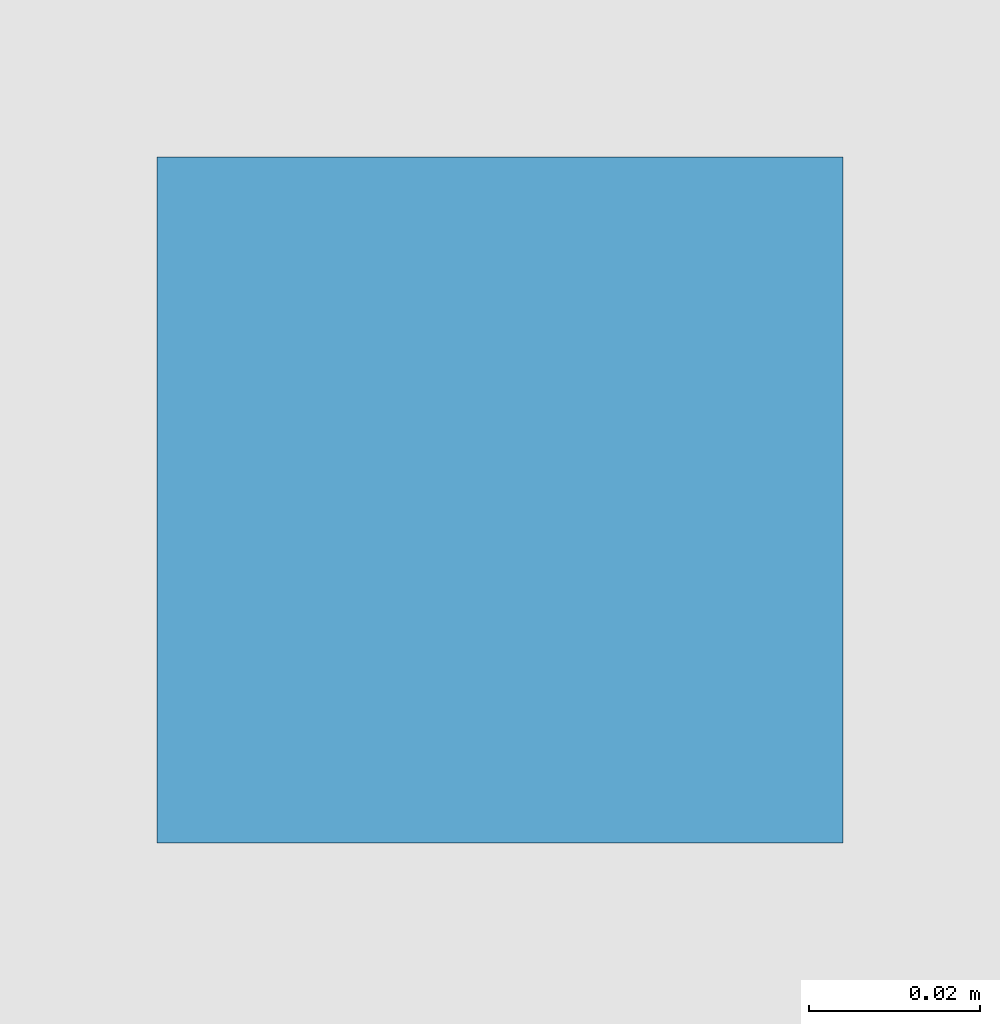
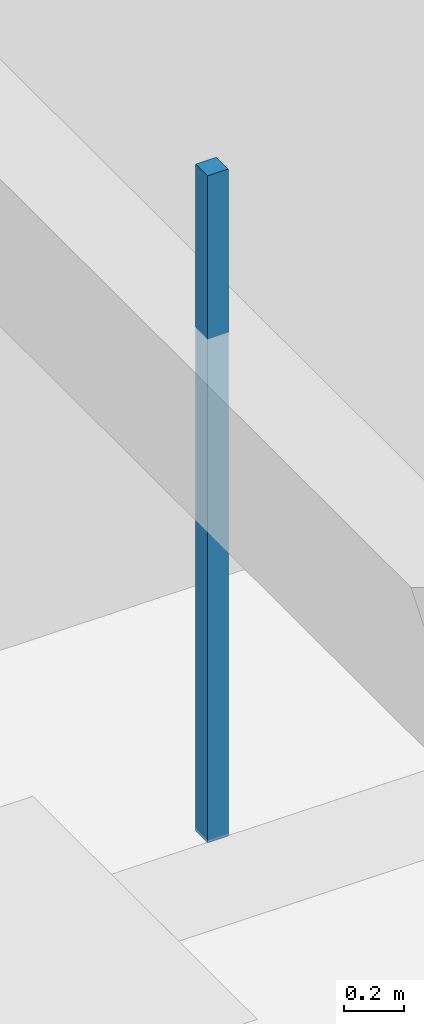
# One storey, part 76 of 93: 1 discrete accessory.
"""IFC4 building model written with IfcOpenShell, lengths in metres."""

from ifc_helpers import new_model, si_unit, direction, frame, origin, origin_2d, place, context, subcontext, project, spatial, rectangle, extrude, material, type_object, element, save


model = new_model("IFC4")

# Units and contexts
model_context = context("Model", 3, precision=1e-05, world=origin(), true_north=direction((0.0, 1.0)))
body_context = subcontext(model_context, "Body", "Model", "MODEL_VIEW")
ifc_project = project(units=[si_unit("LENGTHUNIT", "METRE"), si_unit("AREAUNIT", "SQUARE_METRE"), si_unit("VOLUMEUNIT", "CUBIC_METRE"), si_unit("PLANEANGLEUNIT", "RADIAN"), si_unit("MASSUNIT", "GRAM", prefix="KILO")], contexts=[model_context])

# Site, building, storey
site_placement = place(None, origin())
site = spatial("IfcSite", under=ifc_project, at=site_placement, CompositionType="ELEMENT")
building_placement = place(site_placement, origin())
building = spatial("IfcBuilding", under=site, at=building_placement, Name="Koriwan Promenade Central Fire Station", CompositionType="ELEMENT")
storey_placement = place(building_placement, origin())
storey = spatial("IfcBuildingStorey", under=building, at=storey_placement, Name="L00", CompositionType="ELEMENT", Elevation=0.0)

# Discrete accessory
ifc_material = material(Name="Steel ASTM A572 Grade 50", Category="steel")
discrete_accessory_type = type_object("IfcDiscreteAccessoryType", Name="CeilingHanger_Bracket", PredefinedType="BRACKET", material=ifc_material)
discrete_accessory_placement = place(storey_placement, frame((7.199951171875, 46.8349609375, 3.0947265625), z_axis=(0.0, 0.0, 1.0), x_axis=(1.0, 0.0, 0.0)))
element("IfcDiscreteAccessory", 1, at=discrete_accessory_placement, inside=storey, type_object=discrete_accessory_type, Name="Station Watch Room and Turnout Desk acoustic ceiling seismic hanger", PredefinedType="BRACKET", context=body_context, shape_type="SweptSolid", body=[
    extrude(rectangle(XDim=0.080078125, YDim=0.080078125, at=origin_2d()), origin(), (0.0, 0.0, 1.0), 2.720458984375),
])

save(model, "model.ifc")
